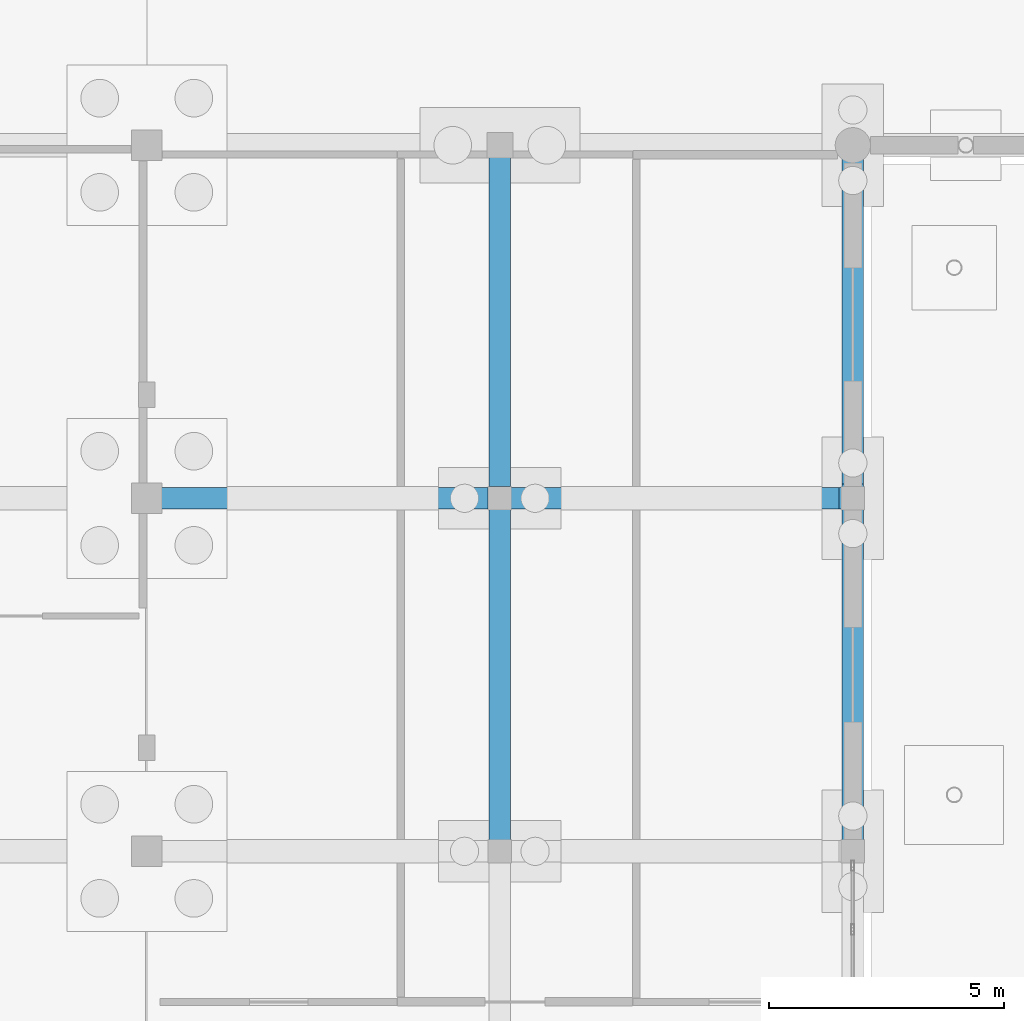
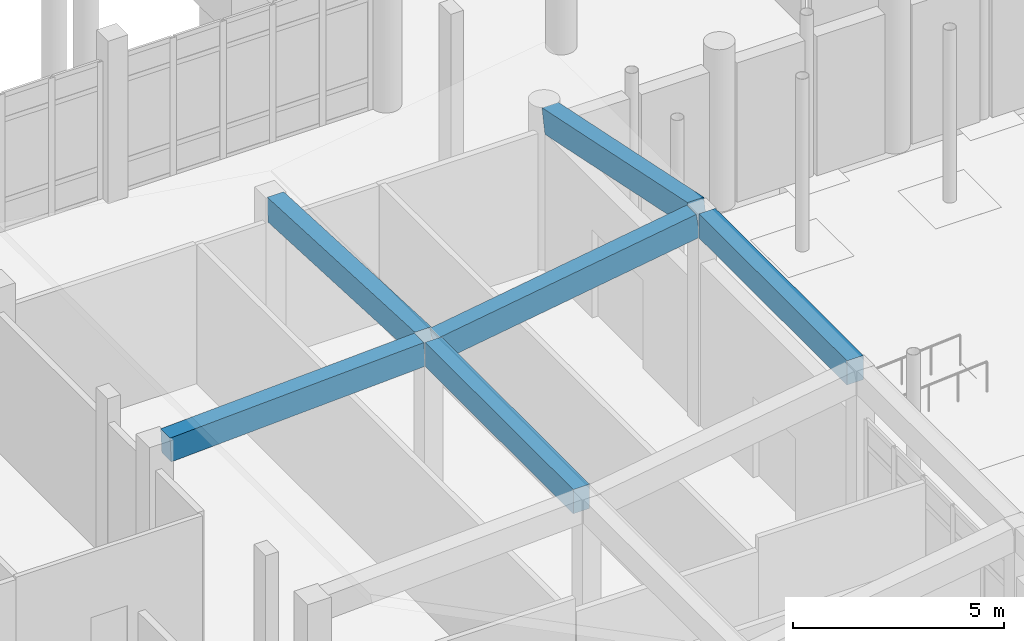
# One storey, part 46 of 173: 6 beams.
"""IFC4 building model written with IfcOpenShell, lengths in metres."""

from ifc_helpers import new_model, si_unit, direction, frame, origin, origin_2d, place, context, subcontext, project, spatial, rectangle, extrude, material, material_profile, profile_set, type_object, element, save


model = new_model("IFC4")

# Units and contexts
model_context = context("Model", 3, precision=1e-05, world=origin(), true_north=direction((0.0, 1.0)))
body_context = subcontext(model_context, "Body", "Model", "MODEL_VIEW")
ifc_project = project(units=[si_unit("LENGTHUNIT", "METRE"), si_unit("AREAUNIT", "SQUARE_METRE"), si_unit("VOLUMEUNIT", "CUBIC_METRE"), si_unit("PLANEANGLEUNIT", "RADIAN"), si_unit("MASSUNIT", "GRAM", prefix="KILO")], contexts=[model_context])

# Site, building, storey
site_placement = place(None, origin())
site = spatial("IfcSite", under=ifc_project, at=site_placement, CompositionType="ELEMENT")
building_placement = place(site_placement, origin())
building = spatial("IfcBuilding", under=site, at=building_placement, Name="Mawjan Specialist Oncology Clinic", CompositionType="ELEMENT")
storey_placement = place(building_placement, origin())
storey = spatial("IfcBuildingStorey", under=building, at=storey_placement, Name="L00", CompositionType="ELEMENT", Elevation=0.0)

# Beams
ifc_material = material(Name="Concrete C40/50", Category="concrete")
ifc_material_profile = material_profile(ifc_material, rectangle(XDim=0.449951171875, YDim=0.699951171875, at=origin_2d()), Name="RC BM 450x700", Category="concrete")
ifc_profile_set = profile_set([ifc_material_profile], Name="Concrete C40/50")
beam_type = type_object("IfcBeamType", Name="BM-450x700", PredefinedType="BEAM", material=ifc_profile_set)
beam_1_placement = place(storey_placement, frame((45.31005859375, 38.300048828125, 4.35009765625), z_axis=(0.998835460308, 0.0, 0.048246484129), x_axis=(0.0, 1.0, 0.0)))
element("IfcBeam", 1, at=beam_1_placement, inside=storey, type_object=beam_type, Name="L00 Roof Framing Beam BM-RF-L00-1248", PredefinedType="BEAM", context=body_context, shape_type="SweptSolid", body=[
    extrude(rectangle(XDim=0.449951171875, YDim=0.699951171875, at=origin_2d()), origin(), (0.0, 0.0, 1.0), 6.962890625),
])
beam_2_placement = place(storey_placement, frame((52.735107421875, 38.300048828125, 4.68603515625), z_axis=(0.987938984862, 0.0, 0.154843670163), x_axis=(0.0, 1.0, 0.0)))
element("IfcBeam", 2, at=beam_2_placement, inside=storey, type_object=beam_type, Name="L00 Roof Framing Beam BM-RF-L00-1249", PredefinedType="BEAM", context=body_context, shape_type="SweptSolid", body=[
    extrude(rectangle(XDim=0.449951171875, YDim=0.699951171875, at=origin_2d()), origin(), (0.0, 0.0, 1.0), 7.11572265625),
])
beam_3_placement = place(storey_placement, frame((52.5, 31.034912109375, 4.68603515625), z_axis=(0.0, 1.0, 0.0), x_axis=(-1.0, 0.0, 0.0)))
element("IfcBeam", 3, at=beam_3_placement, inside=storey, type_object=beam_type, Name="L00 Roof Framing Beam BM-RF-L00-1265", PredefinedType="BEAM", context=body_context, shape_type="SweptSolid", body=[
    extrude(rectangle(XDim=0.449951171875, YDim=0.699951171875, at=origin_2d()), origin(), (0.0, 0.0, 1.0), 7.030029296875),
])
beam_4_placement = place(storey_placement, frame((52.5, 38.534912109375, 4.68603515625), z_axis=(0.0, 0.998852093117, -0.047900898481), x_axis=(-1.0, 0.0, 0.0)))
element("IfcBeam", 4, at=beam_4_placement, inside=storey, type_object=beam_type, Name="L00 Roof Framing Beam BM-RF-L00-1266", PredefinedType="BEAM", context=body_context, shape_type="SweptSolid", body=[
    extrude(rectangle(XDim=0.449951171875, YDim=0.699951171875, at=origin_2d()), origin(), (0.0, 0.0, 1.0), 7.01318359375),
])
beam_5_placement = place(storey_placement, frame((60.0, 31.034912109375, 5.787841796875), z_axis=(0.0, 1.0, 0.0), x_axis=(-1.0, 0.0, 0.0)))
element("IfcBeam", 5, at=beam_5_placement, inside=storey, type_object=beam_type, Name="L00 Roof Framing Beam BM-RF-L00-1270", PredefinedType="BEAM", context=body_context, shape_type="SweptSolid", body=[
    extrude(rectangle(XDim=0.449951171875, YDim=0.699951171875, at=origin_2d()), origin(), (0.0, 0.0, 1.0), 7.030029296875),
])
beam_6_placement = place(storey_placement, frame((60.0, 38.534912109375, 5.787841796875), z_axis=(0.0, 0.979003163639, -0.203845052882), x_axis=(-1.0, 0.0, 0.0)))
element("IfcBeam", 6, at=beam_6_placement, inside=storey, type_object=beam_type, Name="L00 Roof Framing Beam BM-RF-L00-1271", PredefinedType="BEAM", context=body_context, shape_type="SweptSolid", body=[
    extrude(rectangle(XDim=0.449951171875, YDim=0.699951171875, at=origin_2d()), origin(), (0.0, 0.0, 1.0), 7.05322265625),
])

save(model, "model.ifc")
